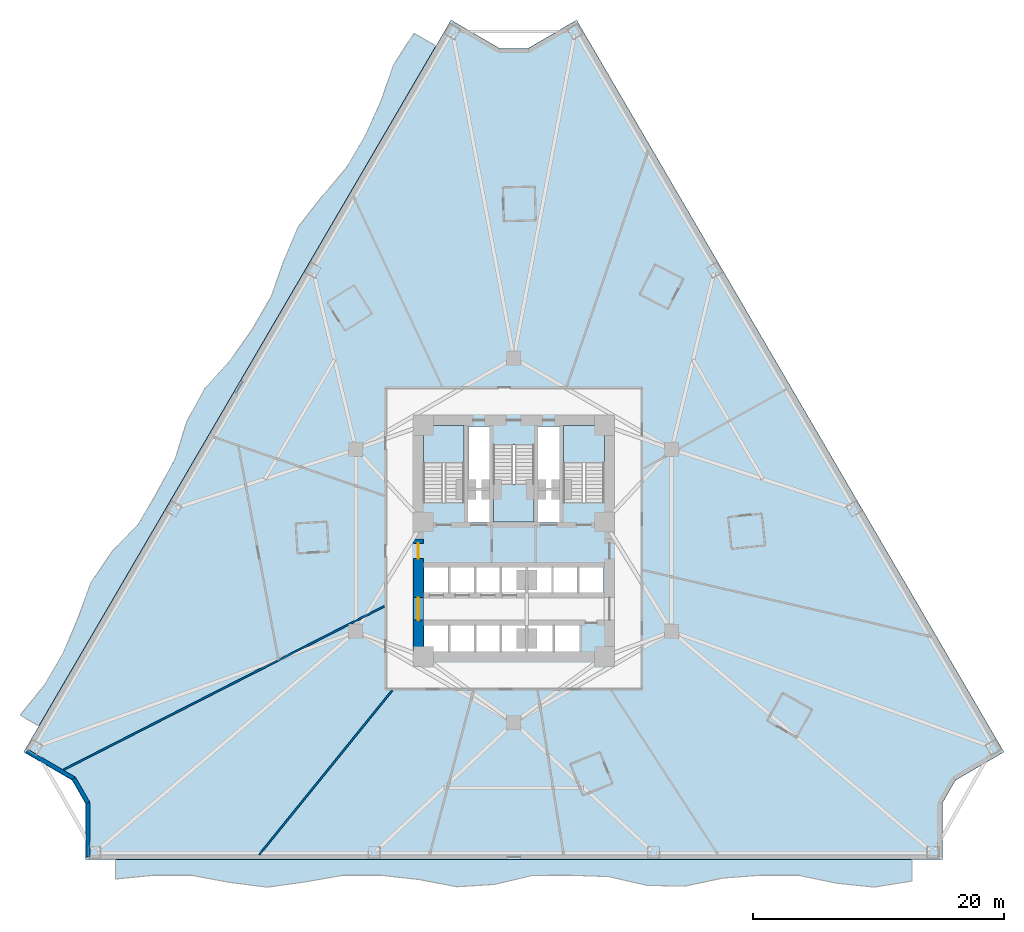
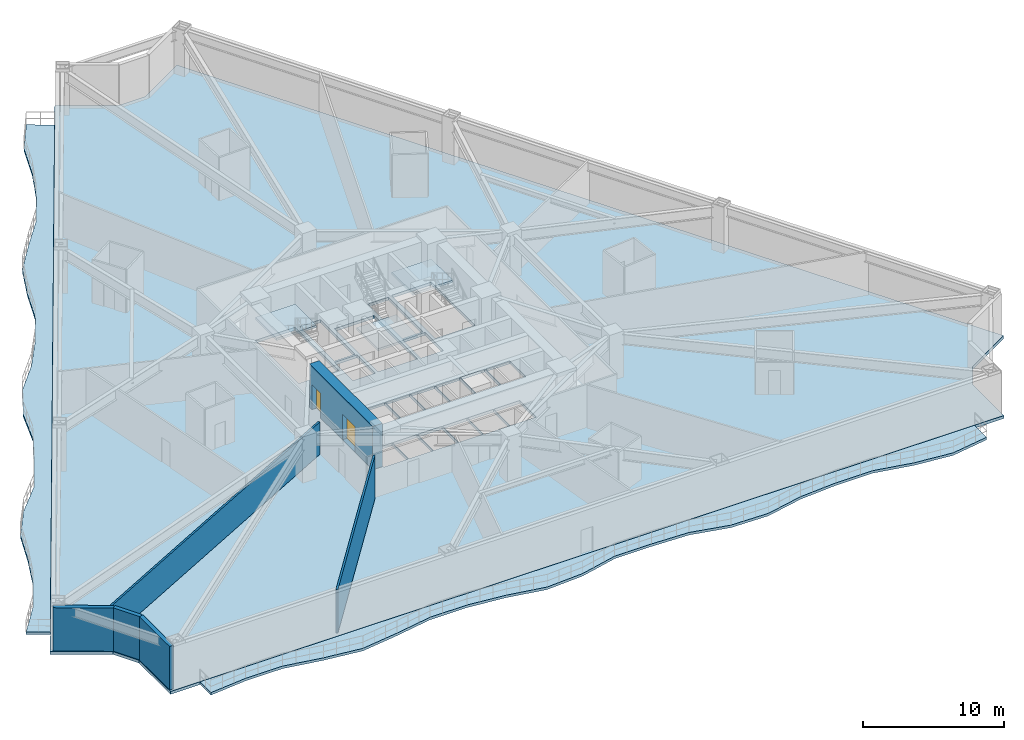
# One storey, part 2 of 11: 6 slabs, 6 walls, 2 doors, 2 openings, 3 elements without a shape of their own.
"""IFC4 building model written with IfcOpenShell, lengths in metres."""

from ifc_helpers import new_model, si_unit, direction, frame, frame_2d, origin, place, context, subcontext, project, spatial, polyline, rectangle, outline, extrude, material, layer, layer_set, type_object, element, fill, aggregate, save


model = new_model("IFC4")

# Units and contexts
model_context = context("Model", 3, precision=1e-05, world=origin(), true_north=direction((0.0, 1.0)))
body_context = subcontext(model_context, "Body", "Model", "MODEL_VIEW")
ifc_project = project(units=[si_unit("LENGTHUNIT", "METRE"), si_unit("AREAUNIT", "SQUARE_METRE"), si_unit("VOLUMEUNIT", "CUBIC_METRE"), si_unit("PLANEANGLEUNIT", "RADIAN"), si_unit("MASSUNIT", "GRAM", prefix="KILO")], contexts=[model_context])

# Site, building, storey
site_placement = place(None, origin())
site = spatial("IfcSite", under=ifc_project, at=site_placement, CompositionType="ELEMENT")
building_placement = place(site_placement, origin())
building = spatial("IfcBuilding", under=site, at=building_placement, Name="Apsidion Concourse Tower", CompositionType="ELEMENT")
storey_placement = place(building_placement, frame((0.0, 0.0, 46.39990234375)))
storey = spatial("IfcBuildingStorey", under=building, at=storey_placement, Name="L09", CompositionType="ELEMENT", Elevation=46.39990234375)

# Slabs
ifc_material_1 = material(Name="Concrete C50/60", Category="concrete")
ifc_layer_1 = layer(ifc_material_1, 0.219970703125)
ifc_layer_set_1 = layer_set([ifc_layer_1], Name="Concrete C50/60")
slab_type_1 = type_object("IfcSlabType", Name="SL-BAL-220", PredefinedType="FLOOR", material=ifc_layer_set_1)
slab_1_placement = place(storey_placement, frame((0.0, 0.0, -0.219970703125)))
element("IfcSlab", 1, at=slab_1_placement, inside=storey, type_object=slab_type_1, Name="L09 Face 1 Rippling Balcony Slab", PredefinedType="FLOOR", context=body_context, shape_type="SweptSolid", body=[
    extrude(outline(polyline([(-6.204833984375, 39.32275390625), (-7.708740234375, 36.746826171875), (-9.212890625, 34.1708984375), (-10.716796875, 31.594970703125), (-12.220947265625, 29.018798828125), (-13.724853515625, 26.44287109375), (-15.22900390625, 23.866943359375), (-16.73291015625, 21.291015625), (-18.237060546875, 18.715087890625), (-19.740966796875, 16.138916015625), (-21.2451171875, 13.56298828125), (-22.7490234375, 10.987060546875), (-24.253173828125, 8.410888671875), (-25.757080078125, 5.8349609375), (-27.260986328125, 3.259033203125), (-28.76513671875, 0.68310546875), (-30.269287109375, -1.892822265625), (-31.773193359375, -4.468994140625), (-33.277099609375, -7.044921875), (-34.78125, -9.620849609375), (-36.285400390625, -12.19677734375), (-37.789306640625, -14.772705078125), (-39.267578125, -13.90966796875), (-37.36474609375, -11.566650390625), (-35.860595703125, -8.990478515625), (-34.683349609375, -6.223876953125), (-33.6513671875, -3.372314453125), (-31.959716796875, -0.90576171875), (-29.844482421875, 1.313232421875), (-28.340576171875, 3.889404296875), (-26.9267578125, 6.51806640625), (-26.019287109375, 9.442138671875), (-24.589111328125, 12.061279296875), (-22.5458984375, 14.322509765625), (-20.820556640625, 16.769287109375), (-19.31640625, 19.34521484375), (-18.310302734375, 22.2119140625), (-17.12841796875, 24.975830078125), (-15.2607421875, 27.339599609375), (-13.30029296875, 29.649169921875), (-11.79638671875, 32.22509765625), (-10.558837890625, 34.956787109375), (-9.5673828125, 37.83203125), (-7.940185546875, 40.336181640625), (-6.204833984375, 39.32275390625)])), origin(), (0.0, 0.0, 1.0), 0.219970703125),
])
slab_2_placement = place(storey_placement, frame((0.0, 0.0, -0.219970703125)))
element("IfcSlab", 2, at=slab_2_placement, inside=storey, type_object=slab_type_1, Name="L09 Face 2 Rippling Balcony Slab", PredefinedType="FLOOR", context=body_context, shape_type="SweptSolid", body=[
    extrude(outline(polyline([(-31.68798828125, -25.39990234375), (-28.670166015625, -25.39990234375), (-25.65234375, -25.39990234375), (-22.634521484375, -25.39990234375), (-19.616455078125, -25.39990234375), (-16.598388671875, -25.39990234375), (-13.58056640625, -25.39990234375), (-10.562744140625, -25.39990234375), (-7.544921875, -25.39990234375), (-4.52685546875, -25.39990234375), (-1.509033203125, -25.39990234375), (1.509033203125, -25.39990234375), (4.52685546875, -25.39990234375), (7.544921875, -25.39990234375), (10.562744140625, -25.39990234375), (13.58056640625, -25.39990234375), (16.598388671875, -25.39990234375), (19.616455078125, -25.39990234375), (22.634521484375, -25.39990234375), (25.65234375, -25.39990234375), (28.670166015625, -25.39990234375), (31.68798828125, -25.39990234375), (31.68798828125, -27.107666015625), (28.670166015625, -27.593505859375), (25.65234375, -27.276611328125), (22.634521484375, -26.64990234375), (19.616455078125, -26.64990234375), (16.598388671875, -26.876953125), (13.58056640625, -27.52099609375), (10.562744140625, -27.45263671875), (7.544921875, -26.757080078125), (4.52685546875, -26.64990234375), (1.509033203125, -26.655517578125), (-1.509033203125, -27.376220703125), (-4.52685546875, -27.565185546875), (-7.544921875, -26.986572265625), (-10.562744140625, -26.64990234375), (-13.58056640625, -26.64990234375), (-16.598388671875, -27.177490234375), (-19.616455078125, -27.599609375), (-22.634521484375, -27.21142578125), (-25.65234375, -26.64990234375), (-28.670166015625, -26.64990234375), (-31.68798828125, -26.949951171875), (-31.68798828125, -25.39990234375)])), origin(), (0.0, 0.0, 1.0), 0.219970703125),
])
ifc_layer_2 = layer(ifc_material_1, 0.25)
ifc_layer_set_2 = layer_set([ifc_layer_2], Name="Concrete C50/60")
slab_type_2 = type_object("IfcSlabType", Name="SL-FLR-250", PredefinedType="FLOOR", material=ifc_layer_set_2)
slab_3_placement = place(storey_placement, frame((0.0, 0.0, -0.25)))
element("IfcSlab", 3, at=slab_3_placement, inside=storey, type_object=slab_type_2, Name="L09 Structural Floor Slab", PredefinedType="FLOOR", context=body_context, shape_type="SweptSolid", body=[
    extrude(outline(polyline([(4.99462890625, 41.3955078125), (1.13427734375, 39.141357421875), (-1.13427734375, 39.141357421875), (-4.99462890625, 41.3955078125), (-38.99951171875, -16.845458984375), (-35.138916015625, -19.099365234375), (-34.088134765625, -20.9296875), (-34.088134765625, -25.39990234375), (34.088134765625, -25.39990234375), (34.088134765625, -20.9296875), (35.138916015625, -19.099365234375), (38.99951171875, -16.845458984375), (4.99462890625, 41.3955078125)]), holes=[polyline([(-3.949951171875, 3.0), (-3.949951171875, 9.14990234375), (-7.199951171875, 9.14990234375), (-7.199951171875, 3.0), (-3.949951171875, 3.0)]), polyline([(7.199951171875, 3.0), (7.199951171875, 9.14990234375), (3.949951171875, 9.14990234375), (3.949951171875, 3.0), (7.199951171875, 3.0)]), polyline([(-1.625, 7.60009765625), (-1.625, 1.449951171875), (1.625, 1.449951171875), (1.625, 7.60009765625), (-1.625, 7.60009765625)]), polyline([(-7.14501953125, -4.300048828125), (-5.155029296875, -4.300048828125), (-5.155029296875, -2.050048828125), (-7.14501953125, -2.050048828125), (-7.14501953125, -4.300048828125)]), polyline([(-5.094970703125, -4.300048828125), (-3.10498046875, -4.300048828125), (-3.10498046875, -2.050048828125), (-5.094970703125, -2.050048828125), (-5.094970703125, -4.300048828125)]), polyline([(-3.044921875, -4.300048828125), (-1.054931640625, -4.300048828125), (-1.054931640625, -2.050048828125), (-3.044921875, -2.050048828125), (-3.044921875, -4.300048828125)]), polyline([(-0.9951171875, -4.300048828125), (0.9951171875, -4.300048828125), (0.9951171875, -2.050048828125), (-0.9951171875, -2.050048828125), (-0.9951171875, -4.300048828125)]), polyline([(1.054931640625, -4.300048828125), (3.044921875, -4.300048828125), (3.044921875, -2.050048828125), (1.054931640625, -2.050048828125), (1.054931640625, -4.300048828125)]), polyline([(3.10498046875, -4.300048828125), (5.094970703125, -4.300048828125), (5.094970703125, -2.050048828125), (3.10498046875, -2.050048828125), (3.10498046875, -4.300048828125)]), polyline([(5.155029296875, -4.300048828125), (7.14501953125, -4.300048828125), (7.14501953125, -2.050048828125), (5.155029296875, -2.050048828125), (5.155029296875, -4.300048828125)]), polyline([(-7.14501953125, -8.949951171875), (-5.155029296875, -8.949951171875), (-5.155029296875, -6.64990234375), (-7.14501953125, -6.64990234375), (-7.14501953125, -8.949951171875)]), polyline([(-5.094970703125, -8.949951171875), (-3.10498046875, -8.949951171875), (-3.10498046875, -6.64990234375), (-5.094970703125, -6.64990234375), (-5.094970703125, -8.949951171875)]), polyline([(-3.044921875, -8.949951171875), (-1.054931640625, -8.949951171875), (-1.054931640625, -6.64990234375), (-3.044921875, -6.64990234375), (-3.044921875, -8.949951171875)]), polyline([(-0.9951171875, -8.949951171875), (0.9951171875, -8.949951171875), (0.9951171875, -6.64990234375), (-0.9951171875, -6.64990234375), (-0.9951171875, -8.949951171875)]), polyline([(1.044921875, -9.0), (3.155029296875, -9.0), (3.155029296875, -6.64990234375), (1.044921875, -6.64990234375), (1.044921875, -9.0)]), polyline([(3.195068359375, -9.0), (5.304931640625, -9.0), (5.304931640625, -6.64990234375), (3.195068359375, -6.64990234375), (3.195068359375, -9.0)]), polyline([(-3.7099609375, 1.39990234375), (-1.85009765625, 1.39990234375), (-1.85009765625, 4.0), (-3.7099609375, 4.0), (-3.7099609375, 1.39990234375)]), polyline([(1.85009765625, 1.39990234375), (3.7099609375, 1.39990234375), (3.7099609375, 4.0), (1.85009765625, 4.0), (1.85009765625, 1.39990234375)]), polyline([(-3.6201171875, 4.14990234375), (-1.93994140625, 4.14990234375), (-1.93994140625, 9.050048828125), (-3.6201171875, 9.050048828125), (-3.6201171875, 4.14990234375)]), polyline([(1.93994140625, 4.14990234375), (3.6201171875, 4.14990234375), (3.6201171875, 9.050048828125), (1.93994140625, 9.050048828125), (1.93994140625, 4.14990234375)])]), origin(), (0.0, 0.0, 1.0), 0.25),
])

# Stair, slab
ifc_material_2 = material(Name="Precast concrete C40/50", Category="concrete")
stair_type = type_object("IfcStairType", Name="ST-DL-1550", PredefinedType="HALF_TURN_STAIR", material=ifc_material_2)
stair_1_placement = place(storey_placement, origin())
stair_1 = element("IfcStair", 4, at=stair_1_placement, inside=storey, type_object=stair_type, Name="L09 Protected Core Exit Stair ST1", PredefinedType="HALF_TURN_STAIR")
ifc_layer_3 = layer(ifc_material_1, 0.199951171875)
ifc_layer_set_3 = layer_set([ifc_layer_3], Name="Concrete C50/60")
slab_type_3 = type_object("IfcSlabType", Name="SL-ST-LAND-200", PredefinedType="LANDING", material=ifc_layer_set_3)
slab_4_placement = place(storey_placement, frame((0.0, 0.0, 1.800048828125)))
slab_4 = element("IfcSlab", 5, at=slab_4_placement, type_object=slab_type_3, Name="ST1 landing 1", PredefinedType="LANDING", context=body_context, shape_type="SweptSolid", body=[
    extrude(outline(polyline([(-3.949951171875, 6.135009765625), (-3.949951171875, 9.14990234375), (-7.199951171875, 9.14990234375), (-7.199951171875, 6.135009765625), (-3.949951171875, 6.135009765625)])), origin(), (0.0, 0.0, 1.0), 0.199951171875),
])
aggregate(stair_1, [slab_4])

stair_2_placement = place(storey_placement, origin())
stair_2 = element("IfcStair", 6, at=stair_2_placement, inside=storey, type_object=stair_type, Name="L09 Protected Core Exit Stair ST2", PredefinedType="HALF_TURN_STAIR")
slab_5_placement = place(storey_placement, frame((0.0, 0.0, 1.800048828125)))
slab_5 = element("IfcSlab", 7, at=slab_5_placement, type_object=slab_type_3, Name="ST2 landing 1", PredefinedType="LANDING", context=body_context, shape_type="SweptSolid", body=[
    extrude(outline(polyline([(7.199951171875, 6.135009765625), (7.199951171875, 9.14990234375), (3.949951171875, 9.14990234375), (3.949951171875, 6.135009765625), (7.199951171875, 6.135009765625)])), origin(), (0.0, 0.0, 1.0), 0.199951171875),
])
aggregate(stair_2, [slab_5])

stair_3_placement = place(storey_placement, origin())
stair_3 = element("IfcStair", 8, at=stair_3_placement, inside=storey, type_object=stair_type, Name="L09 Protected Core Exit Stair ST3", PredefinedType="HALF_TURN_STAIR")
slab_6_placement = place(storey_placement, frame((0.0, 0.0, 1.800048828125)))
slab_6 = element("IfcSlab", 9, at=slab_6_placement, type_object=slab_type_3, Name="ST3 landing 1", PredefinedType="LANDING", context=body_context, shape_type="SweptSolid", body=[
    extrude(outline(polyline([(-1.625, 4.465087890625), (-1.625, 1.449951171875), (1.625, 1.449951171875), (1.625, 4.465087890625), (-1.625, 4.465087890625)])), origin(), (0.0, 0.0, 1.0), 0.199951171875),
])
aggregate(stair_3, [slab_6])

# Walls
ifc_layer_4 = layer(ifc_material_2, 0.320068359375)
ifc_layer_set_4 = layer_set([ifc_layer_4], Name="Precast concrete C40/50")
wall_type_1 = type_object("IfcWallType", Name="WL-EXT-320", PredefinedType="STANDARD", material=ifc_layer_set_4)
wall_1_placement = place(storey_placement, frame((-33.88818359375, -25.199951171875, 0.0), z_axis=(0.0, 0.0, 1.0), x_axis=(0.0, 1.0, 0.0)))
element("IfcWall", 10, at=wall_1_placement, inside=storey, type_object=wall_type_1, Name="L09 Precast Stone Facade Wall 06", PredefinedType="STANDARD", context=body_context, shape_type="SweptSolid", body=[
    extrude(rectangle(XDim=4.32373046875, YDim=0.320068359375, at=frame_2d((2.161865234375, 0.0))), origin(), (0.0, 0.0, 1.0), 3.75),
])
wall_2_placement = place(storey_placement, frame((-33.88818359375, -20.876220703125, 0.0), z_axis=(0.0, 0.0, 1.0), x_axis=(-0.497881323344, 0.867245171717, 0.0)))
element("IfcWall", 11, at=wall_2_placement, inside=storey, type_object=wall_type_1, Name="L09 Precast Stone Facade Wall 07", PredefinedType="STANDARD", context=body_context, shape_type="SweptSolid", body=[
    extrude(rectangle(XDim=2.216796875, YDim=0.320068359375, at=frame_2d((1.1083984375, 0.0))), origin(), (0.0, 0.0, 1.0), 3.75),
])
wall_3_placement = place(storey_placement, frame((-34.991943359375, -18.95361328125, 0.0), z_axis=(0.0, 0.0, 1.0), x_axis=(-0.863569936823, 0.504229079105, 0.0)))
element("IfcWall", 12, at=wall_3_placement, inside=storey, type_object=wall_type_1, Name="L09 Precast Stone Facade Wall 08", PredefinedType="STANDARD", context=body_context, shape_type="SweptSolid", body=[
    extrude(rectangle(XDim=4.32373046875, YDim=0.320068359375, at=frame_2d((2.161865234375, 0.0))), origin(), (0.0, 0.0, 1.0), 3.75),
])
ifc_material_3 = material(Name="Gypsum plasterboard partition")
ifc_layer_5 = layer(ifc_material_3, 0.14990234375)
ifc_layer_set_5 = layer_set([ifc_layer_5], Name="Gypsum plasterboard partition")
wall_type_2 = type_object("IfcWallType", Name="WL-INT-PAR-150", PredefinedType="PARTITIONING", material=ifc_layer_set_5)
wall_4_placement = place(storey_placement, frame((-10.304931640625, -5.250732421875, 0.0), z_axis=(0.0, 0.0, 1.0), x_axis=(-0.89100854316, -0.453986537263, 0.0)))
element("IfcWall", 13, at=wall_4_placement, inside=storey, type_object=wall_type_2, Name="L09 Interior Partition WL-L09-RAD-05-1", PredefinedType="PARTITIONING", context=body_context, shape_type="SweptSolid", body=[
    extrude(rectangle(XDim=28.653076171875, YDim=0.14990234375, at=frame_2d((14.32666015625, 0.0))), origin(), (0.0, 0.0, 1.0), 2.798095703125),
])
wall_5_placement = place(storey_placement, frame((-9.680908203125, -11.955078125, 0.0), z_axis=(0.0, 0.0, 1.0), x_axis=(-0.62932934756, -0.777138708532, 0.0)))
element("IfcWall", 14, at=wall_5_placement, inside=storey, type_object=wall_type_2, Name="L09 Interior Partition WL-L09-RAD-06-1", PredefinedType="PARTITIONING", context=body_context, shape_type="SweptSolid", body=[
    extrude(rectangle(XDim=16.81787109375, YDim=0.14990234375, at=frame_2d((8.408935546875, 0.0))), origin(), (0.0, 0.0, 1.0), 3.75),
])

# Wall, openings, doors
ifc_material_4 = material(Name="Concrete C60/75", Category="concrete")
ifc_layer_6 = layer(ifc_material_4, 0.800048828125)
ifc_layer_set_6 = layer_set([ifc_layer_6], Name="Concrete C60/75")
wall_type_3 = type_object("IfcWallType", Name="WL-SH-800", PredefinedType="SHEAR", material=ifc_layer_set_6)
wall_6_placement = place(storey_placement, frame((-7.60009765625, -8.85009765625, 0.0), z_axis=(0.0, 0.0, 1.0), x_axis=(0.0, 1.0, 0.0)))
wall_6 = element("IfcWall", 15, at=wall_6_placement, inside=storey, type_object=wall_type_3, Name="L09 Central Core Shear Wall WS", PredefinedType="SHEAR", context=body_context, shape_type="SweptSolid", body=[
    extrude(rectangle(XDim=8.9501953125, YDim=0.800048828125, at=frame_2d((4.47509765625, 0.0))), origin(), (0.0, 0.0, 1.0), 3.75),
])
opening_1_placement = place(wall_6_placement, frame((2.489990234375, 0.0, 0.0)))
opening_1 = element("IfcOpeningElement", 16, at=opening_1_placement, cuts=wall_6, Name="Opening D-06D", PredefinedType="OPENING", context=body_context, shape_type="SweptSolid", body=[
    extrude(rectangle(XDim=1.800048828125, YDim=2.199951171875, at=frame_2d((0.89990234375, 1.10009765625))), frame((0.0, 0.41015625, 0.0), z_axis=(0.0, -1.0, 0.0), x_axis=(1.0, 0.0, 0.0)), (0.0, 0.0, 1.0), 0.820068359375),
])
opening_2_placement = place(wall_6_placement, frame((7.39990234375, 0.0, 0.0)))
opening_2 = element("IfcOpeningElement", 17, at=opening_2_placement, cuts=wall_6, Name="Opening D-FFL", PredefinedType="OPENING", context=body_context, shape_type="SweptSolid", body=[
    extrude(rectangle(XDim=1.199951171875, YDim=2.14990234375, at=frame_2d((0.60009765625, 1.074951171875))), frame((0.0, 0.41015625, 0.0), z_axis=(0.0, -1.0, 0.0), x_axis=(1.0, 0.0, 0.0)), (0.0, 0.0, 1.0), 0.820068359375),
])
ifc_material_5 = material(Name="Brushed stainless steel 316", Category="steel")
door_type_1 = type_object("IfcDoorType", Name="DR-INT-D06D", OperationType="DOUBLE_DOOR_SINGLE_SWING", PredefinedType="DOOR", material=ifc_material_5)
door_1_placement = place(opening_1_placement, origin())
door_1 = element("IfcDoor", 18, at=door_1_placement, inside=storey, type_object=door_type_1, Name="L09 Passenger Lift Lobby WS Portal Door", OperationType="DOUBLE_DOOR_SINGLE_SWING", OverallHeight=2.199951171875, OverallWidth=1.800048828125, PredefinedType="DOOR", context=body_context, shape_type="SweptSolid", body=[
    extrude(rectangle(XDim=1.800048828125, YDim=2.199951171875, at=frame_2d((0.89990234375, 1.10009765625))), frame((0.0, 0.02490234375, 0.0), z_axis=(0.0, -1.0, 0.0), x_axis=(1.0, 0.0, 0.0)), (0.0, 0.0, 1.0), 0.050048828125),
])
fill(opening_1, door_1)
door_type_2 = type_object("IfcDoorType", Name="DR-INT-FFL", OperationType="SINGLE_SWING_LEFT", PredefinedType="DOOR", material=ifc_material_5)
door_2_placement = place(opening_2_placement, origin())
door_2 = element("IfcDoor", 19, at=door_2_placement, inside=storey, type_object=door_type_2, Name="L09 Firefighting Lift Lobby FF1 Door", OperationType="SINGLE_SWING_LEFT", OverallHeight=2.14990234375, OverallWidth=1.199951171875, PredefinedType="DOOR", context=body_context, shape_type="SweptSolid", body=[
    extrude(rectangle(XDim=1.199951171875, YDim=2.14990234375, at=frame_2d((0.60009765625, 1.074951171875))), frame((0.0, 0.02490234375, 0.0), z_axis=(0.0, -1.0, 0.0), x_axis=(1.0, 0.0, 0.0)), (0.0, 0.0, 1.0), 0.050048828125),
])
fill(opening_2, door_2)

save(model, "model.ifc")
